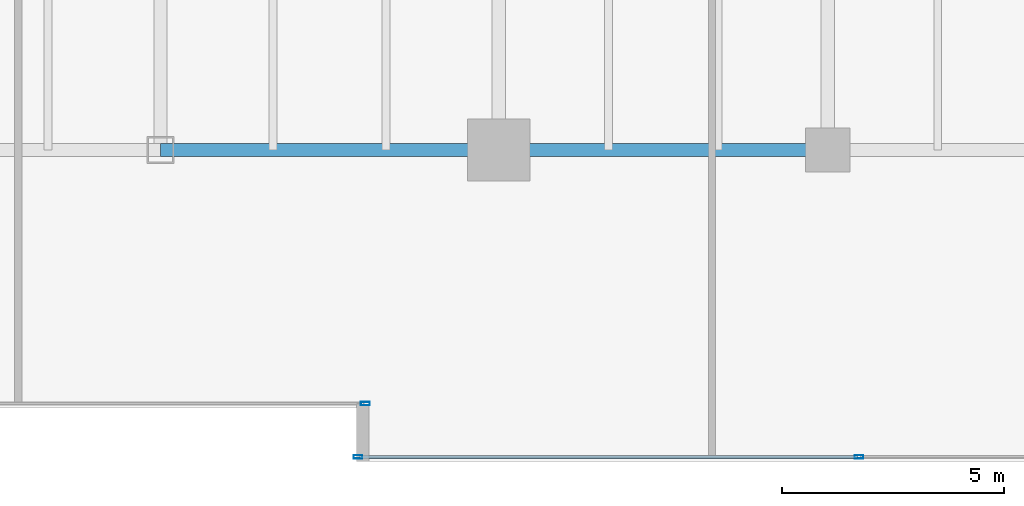
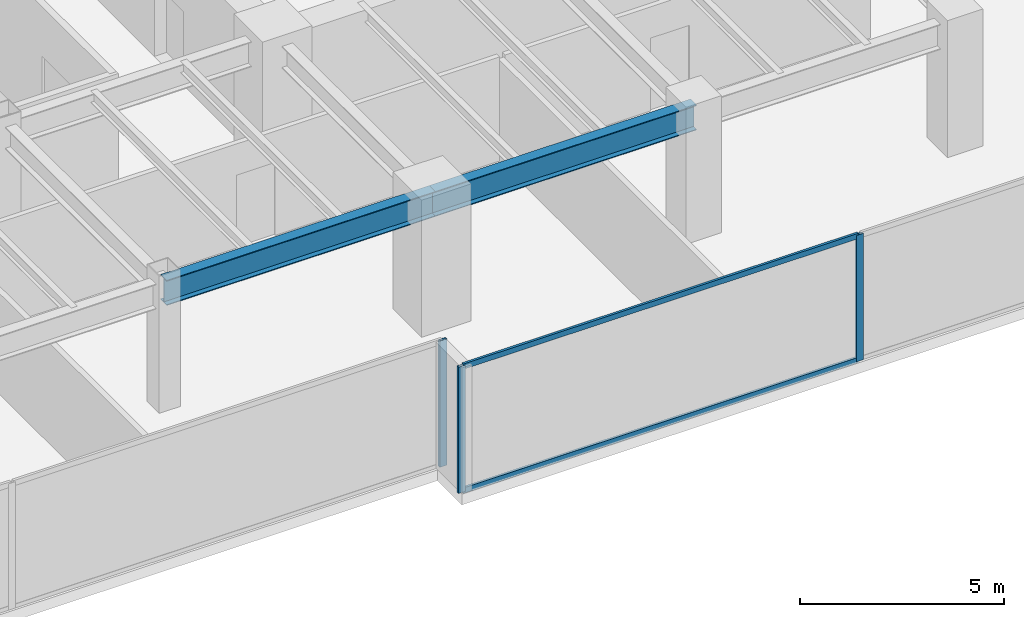
# One storey, part 10 of 35: 5 members, 2 beams, 2 elements without a shape of their own.
"""IFC4 building model written with IfcOpenShell, lengths in metres."""

from ifc_helpers import new_model, si_unit, direction, frame, origin, origin_2d, place, context, subcontext, project, spatial, hollow_rectangle, i_section, extrude, source, transform, mapped, material, layer, layer_set, material_profile, profile_set, type_object, type_shapes, element, aggregate, save


model = new_model("IFC4")

# Units and contexts
model_context = context("Model", 3, precision=1e-05, world=origin(), true_north=direction((0.0, 1.0)))
body_context = subcontext(model_context, "Body", "Model", "MODEL_VIEW")
ifc_project = project(units=[si_unit("LENGTHUNIT", "METRE"), si_unit("AREAUNIT", "SQUARE_METRE"), si_unit("VOLUMEUNIT", "CUBIC_METRE"), si_unit("PLANEANGLEUNIT", "RADIAN"), si_unit("MASSUNIT", "GRAM", prefix="KILO")], contexts=[model_context])

# Site, building, storey
site_placement = place(None, origin())
site = spatial("IfcSite", under=ifc_project, at=site_placement, CompositionType="ELEMENT")
building_placement = place(site_placement, origin())
building = spatial("IfcBuilding", under=site, at=building_placement, Name="Haelvirn Gate Laboratories", CompositionType="ELEMENT")
storey_placement = place(building_placement, frame((0.0, 0.0, 82.60009765625)))
storey = spatial("IfcBuildingStorey", under=building, at=storey_placement, Name="L20", CompositionType="ELEMENT", Elevation=82.60009765625)

# Beams
ifc_material_1 = material(Name="Steel SM355", Category="steel")
ifc_material_profile_1 = material_profile(ifc_material_1, i_section(OverallWidth=0.300048828125, OverallDepth=0.75, WebThickness=0.013916015625, FlangeThickness=0.02392578125, at=origin_2d()), Name="H-750x300x14x24")
ifc_profile_set_1 = profile_set([ifc_material_profile_1], Name="Steel SM355")
beam_type = type_object("IfcBeamType", Name="BM-G-750", PredefinedType="BEAM", material=ifc_profile_set_1)
shared_shape_1 = source(origin(), body_context, "Body", "SweptSolid", [
    extrude(i_section(OverallWidth=0.300048828125, OverallDepth=0.75, WebThickness=0.013916015625, FlangeThickness=0.02392578125, at=origin_2d()), origin(), (0.0, 0.0, 1.0), 7.39990234375),
])
beam_1_placement = place(storey_placement, frame((52.60009765625, 7.0, 3.40478515625), z_axis=(1.0, 0.0, 0.0), x_axis=(0.0, 1.0, 0.0)))
element("IfcBeam", 1, at=beam_1_placement, inside=storey, type_object=beam_type, Name="L20 Primary Girder Y7.0 (52.6-60.0)", PredefinedType="BEAM", context=body_context, shape_type="MappedRepresentation", body=[
    mapped(shared_shape_1, transform((0.0, 0.0, 0.0), scale=1.0)),
])
shared_shape_2 = source(origin(), body_context, "Body", "SweptSolid", [
    extrude(i_section(OverallWidth=0.300048828125, OverallDepth=0.75, WebThickness=0.013916015625, FlangeThickness=0.02392578125, at=origin_2d()), origin(), (0.0, 0.0, 1.0), 7.60009765625),
])
type_shapes(beam_type, [shared_shape_1, shared_shape_2])
beam_2_placement = place(storey_placement, frame((45.0, 7.0, 3.40478515625), z_axis=(1.0, 0.0, 0.0), x_axis=(0.0, 1.0, 0.0)))
element("IfcBeam", 2, at=beam_2_placement, inside=storey, type_object=beam_type, Name="L20 Primary Girder Y7.0 (45.0-52.6)", PredefinedType="BEAM", context=body_context, shape_type="MappedRepresentation", body=[
    mapped(shared_shape_2, transform((0.0, 0.0, 0.0), scale=1.0)),
])

# Curtain wall, members
ifc_material_2 = material(Name="Anodised bronze unitised aluminium & triple low-E glass", Category="aluminium")
ifc_layer = layer(ifc_material_2, 0.18408203125, Name="CW-SYS-2")
ifc_layer_set = layer_set([ifc_layer], Name="Anodised bronze unitised aluminium & triple low-E glass")
curtain_wall_type = type_object("IfcCurtainWallType", Name="CW-SYS-2", PredefinedType="NOTDEFINED", material=ifc_layer_set)
curtain_wall_1_placement = place(storey_placement, origin())
curtain_wall_1 = element("IfcCurtainWall", 3, at=curtain_wall_1_placement, inside=storey, type_object=curtain_wall_type, Name="L20 Unitised Curtain Wall CW-L20-P0-E04-1", PredefinedType="NOTDEFINED")
ifc_material_3 = material(Name="Extruded aluminium 6063-T6 (anodised bronze)", Category="aluminium")
ifc_material_profile_2 = material_profile(ifc_material_3, hollow_rectangle(XDim=0.070068359375, YDim=0.159912109375, WallThickness=0.0048828125, at=origin_2d()), Name="CWT-160x70x5")
ifc_profile_set_2 = profile_set([ifc_material_profile_2], Name="Extruded aluminium 6063-T6 (anodised bronze)")
member_type_1 = type_object("IfcMemberType", Name="CWT-T160", PredefinedType="USERDEFINED", material=ifc_profile_set_2)
shared_shape_3 = source(origin(), body_context, "Body", "SweptSolid", [
    extrude(hollow_rectangle(XDim=0.070068359375, YDim=0.159912109375, WallThickness=0.0048828125, at=origin_2d()), origin(), (0.0, 0.0, 1.0), 11.1875),
])
type_shapes(member_type_1, [shared_shape_3])
member_1_placement = place(storey_placement, frame((49.47509765625, 0.10009765625, 0.034912109375), z_axis=(1.0, 0.0, 0.0), x_axis=(0.0, 1.0, 0.0)))
member_1 = element("IfcMember", 4, at=member_1_placement, type_object=member_type_1, Name="CW2 transom 1.1", ObjectType="TRANSOM", PredefinedType="USERDEFINED", context=body_context, shape_type="MappedRepresentation", body=[
    mapped(shared_shape_3, transform((0.0, 0.0, 0.0), scale=1.0)),
])
member_2_placement = place(storey_placement, frame((49.47509765625, 0.10009765625, 3.744873046875), z_axis=(1.0, 0.0, 0.0), x_axis=(0.0, 1.0, 0.0)))
member_2 = element("IfcMember", 5, at=member_2_placement, type_object=member_type_1, Name="CW2 transom 1.2", ObjectType="TRANSOM", PredefinedType="USERDEFINED", context=body_context, shape_type="MappedRepresentation", body=[
    mapped(shared_shape_3, transform((0.0, 0.0, 0.0), scale=1.0)),
])

# Curtain wall, member
curtain_wall_2_placement = place(storey_placement, origin())
curtain_wall_2 = element("IfcCurtainWall", 6, at=curtain_wall_2_placement, inside=storey, type_object=curtain_wall_type, Name="L20 Unitised Curtain Wall CW-L20-P0-E02-1", PredefinedType="NOTDEFINED")
ifc_material_profile_3 = material_profile(ifc_material_3, hollow_rectangle(XDim=0.074951171875, YDim=0.199951171875, WallThickness=0.0048828125, at=origin_2d()), Name="CWM-200x75x5")
ifc_profile_set_3 = profile_set([ifc_material_profile_3], Name="Extruded aluminium 6063-T6 (anodised bronze)")
member_type_2 = type_object("IfcMemberType", Name="CWM-T200", PredefinedType="MULLION", material=ifc_profile_set_3)
shared_shape_4 = source(origin(), body_context, "Body", "SweptSolid", [
    extrude(hollow_rectangle(XDim=0.074951171875, YDim=0.199951171875, WallThickness=0.0048828125, at=origin_2d()), origin(), (0.0, 0.0, 1.0), 3.77978515625),
])
type_shapes(member_type_2, [shared_shape_4])
member_3_placement = place(storey_placement, frame((49.6025390625, 1.300048828125, 0.0), z_axis=(0.0, 0.0, 1.0), x_axis=(0.0, 1.0, 0.0)))
member_3 = element("IfcMember", 7, at=member_3_placement, type_object=member_type_2, Name="CW2 mullion 3", PredefinedType="MULLION", context=body_context, shape_type="MappedRepresentation", body=[
    mapped(shared_shape_4, transform((0.0, 0.0, 0.0), scale=1.0)),
])
aggregate(curtain_wall_2, [member_3])

# Member
member_4_placement = place(storey_placement, frame((49.4375, 0.10009765625, 0.0), z_axis=(0.0, 0.0, 1.0), x_axis=(0.0, 1.0, 0.0)))
member_4 = element("IfcMember", 8, at=member_4_placement, type_object=member_type_2, Name="CW2 mullion 1", PredefinedType="MULLION", context=body_context, shape_type="MappedRepresentation", body=[
    mapped(shared_shape_4, transform((0.0, 0.0, 0.0), scale=1.0)),
])

member_5_placement = place(storey_placement, frame((60.699951171875, 0.10009765625, 0.0), z_axis=(0.0, 0.0, 1.0), x_axis=(0.0, 1.0, 0.0)))
member_5 = element("IfcMember", 9, at=member_5_placement, type_object=member_type_2, Name="CW2 mullion 2", PredefinedType="MULLION", context=body_context, shape_type="MappedRepresentation", body=[
    mapped(shared_shape_4, transform((0.0, 0.0, 0.0), scale=1.0)),
])

aggregate(curtain_wall_1, [member_4, member_5, member_1, member_2])

save(model, "model.ifc")
